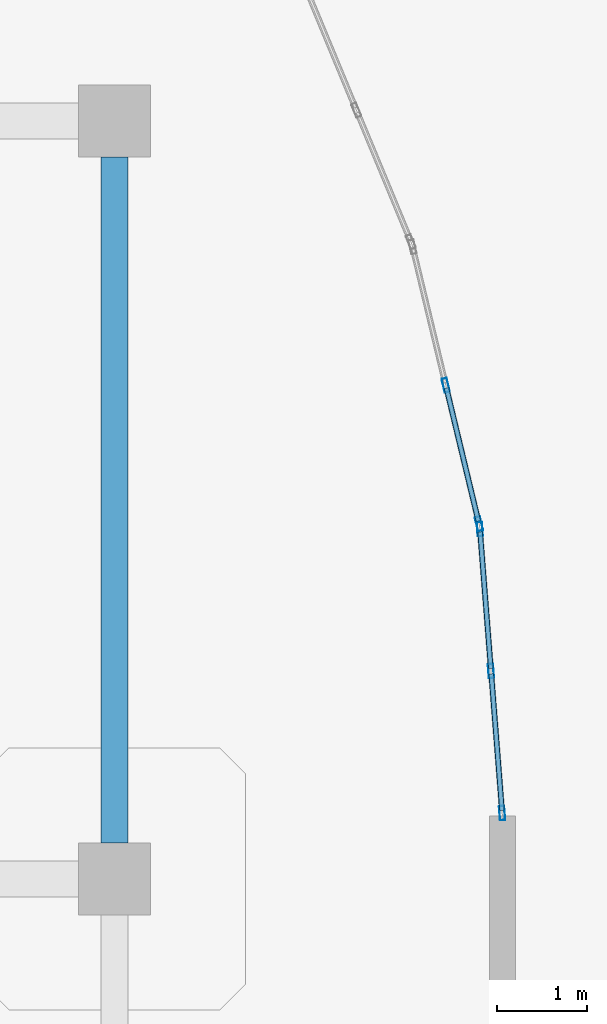
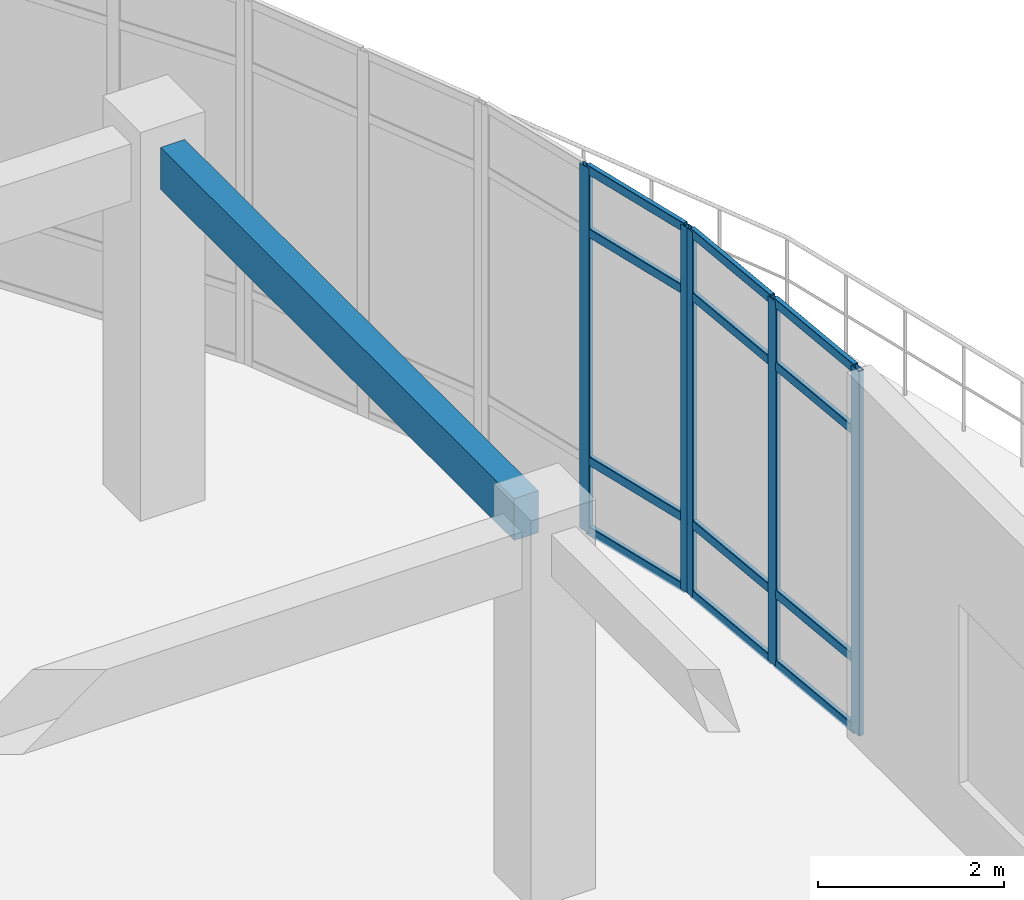
# One storey, part 86 of 124: 17 members, 1 beam, 2 elements without a shape of their own.
"""IFC4 building model written with IfcOpenShell, lengths in metres."""

from ifc_helpers import new_model, si_unit, derived_unit, direction, frame, origin, origin_2d, place, context, subcontext, project, spatial, rectangle, hollow_rectangle, extrude, material, layer, layer_set, material_profile, profile_set, type_object, element, aggregate, save


model = new_model("IFC4")

# Units and contexts
model_context = context("Model", 3, precision=1e-05, world=origin(), true_north=direction((0.0, 1.0)))
body_context = subcontext(model_context, "Body", "Model", "MODEL_VIEW")
ifc_project = project(units=[si_unit("LENGTHUNIT", "METRE"), si_unit("AREAUNIT", "SQUARE_METRE"), si_unit("VOLUMEUNIT", "CUBIC_METRE"), si_unit("PLANEANGLEUNIT", "RADIAN"), si_unit("MASSUNIT", "GRAM", prefix="KILO"), derived_unit("THERMALTRANSMITTANCEUNIT", [(si_unit("MASSUNIT", "GRAM", prefix="KILO"), 1), (si_unit("TIMEUNIT", "SECOND"), -3), (si_unit("THERMODYNAMICTEMPERATUREUNIT", "KELVIN"), -1)])], contexts=[model_context])

# Site, building, storey
site_placement = place(None, origin())
site = spatial("IfcSite", under=ifc_project, at=site_placement, CompositionType="ELEMENT")
building_placement = place(site_placement, origin())
building = spatial("IfcBuilding", under=site, at=building_placement, Name="Qinzheling Arcade Emporium", CompositionType="ELEMENT")
storey_placement = place(building_placement, frame((0.0, 0.0, 16.5)))
storey = spatial("IfcBuildingStorey", under=building, at=storey_placement, Name="L04", CompositionType="ELEMENT", Elevation=16.5)

# Curtain wall, members
ifc_material_1 = material(Name="Anodised aluminium and solar-control double glazing", Category="aluminium")
ifc_layer = layer(ifc_material_1, 0.159912109375, Name="Anodised aluminium and solar-control double glazing", Category="aluminium")
ifc_layer_set = layer_set([ifc_layer], Name="Anodised aluminium and solar-control double glazing")
curtain_wall_type = type_object("IfcCurtainWallType", Name="Curved Ribbon Sales Curtain Wall", PredefinedType="NOTDEFINED", material=ifc_layer_set)
curtain_wall_1_placement = place(storey_placement, origin())
curtain_wall_1 = element("IfcCurtainWall", 1, at=curtain_wall_1_placement, inside=storey, type_object=curtain_wall_type, Name="Curtain Wall CW-L04-272", PredefinedType="NOTDEFINED")
ifc_material_2 = material(Name="Anodised aluminium 6063-T6", Category="aluminium")
ifc_material_profile_1 = material_profile(ifc_material_2, hollow_rectangle(XDim=0.06005859375, YDim=0.159912109375, WallThickness=0.00390625, InnerFilletRadius=0.00390625, OuterFilletRadius=0.008056640625, at=origin_2d()), Name="RHS 160x60x4", Category="aluminium")
ifc_profile_set_1 = profile_set([ifc_material_profile_1], Name="Anodised aluminium 6063-T6")
member_type_1 = type_object("IfcMemberType", Name="Curtain Wall Mullion RHS160x60", PredefinedType="MULLION", material=ifc_profile_set_1)
member_1_placement = place(storey_placement, frame((142.87255859375, 96.071044921875, 0.0), z_axis=(0.0, 0.0, 1.0), x_axis=(0.972367546477, 0.233455251725, 0.0)))
member_1 = element("IfcMember", 2, at=member_1_placement, type_object=member_type_1, Name="CW02 mullion 2", PredefinedType="MULLION", context=body_context, shape_type="SweptSolid", body=[
    extrude(hollow_rectangle(XDim=0.06005859375, YDim=0.159912109375, WallThickness=0.00390625, InnerFilletRadius=0.00390625, OuterFilletRadius=0.008056640625, at=origin_2d()), origin(), (0.0, 0.0, 1.0), 4.7900390625),
])
member_2_placement = place(storey_placement, frame((143.240966796875, 94.5361328125, 0.0), z_axis=(0.0, 0.0, 1.0), x_axis=(0.972367546477, 0.233455251725, 0.0)))
member_2 = element("IfcMember", 3, at=member_2_placement, type_object=member_type_1, Name="CW02 mullion 3", PredefinedType="MULLION", context=body_context, shape_type="SweptSolid", body=[
    extrude(hollow_rectangle(XDim=0.06005859375, YDim=0.159912109375, WallThickness=0.00390625, InnerFilletRadius=0.00390625, OuterFilletRadius=0.008056640625, at=origin_2d()), origin(), (0.0, 0.0, 1.0), 4.7900390625),
])

curtain_wall_2_placement = place(storey_placement, origin())
curtain_wall_2 = element("IfcCurtainWall", 4, at=curtain_wall_2_placement, inside=storey, type_object=curtain_wall_type, Name="Curtain Wall CW-L04-273", PredefinedType="NOTDEFINED")
member_3_placement = place(storey_placement, frame((143.250244140625, 94.47705078125, 0.0), z_axis=(0.0, 0.0, 1.0), x_axis=(0.996926963876, 0.078336637005, 0.0)))
member_3 = element("IfcMember", 5, at=member_3_placement, type_object=member_type_1, Name="CW02 mullion 1", PredefinedType="MULLION", context=body_context, shape_type="SweptSolid", body=[
    extrude(hollow_rectangle(XDim=0.06005859375, YDim=0.159912109375, WallThickness=0.00390625, InnerFilletRadius=0.00390625, OuterFilletRadius=0.008056640625, at=origin_2d()), origin(), (0.0, 0.0, 1.0), 4.7900390625),
])
member_4_placement = place(storey_placement, frame((143.3740234375, 92.903564453125, 0.0), z_axis=(0.0, 0.0, 1.0), x_axis=(0.996926963876, 0.078336637005, 0.0)))
member_4 = element("IfcMember", 6, at=member_4_placement, type_object=member_type_1, Name="CW02 mullion 2", PredefinedType="MULLION", context=body_context, shape_type="SweptSolid", body=[
    extrude(hollow_rectangle(XDim=0.06005859375, YDim=0.159912109375, WallThickness=0.00390625, InnerFilletRadius=0.00390625, OuterFilletRadius=0.008056640625, at=origin_2d()), origin(), (0.0, 0.0, 1.0), 4.7900390625),
])
member_5_placement = place(storey_placement, frame((143.49755859375, 91.329833984375, 0.0), z_axis=(0.0, 0.0, 1.0), x_axis=(0.996926963876, 0.078336637005, 0.0)))
member_5 = element("IfcMember", 7, at=member_5_placement, type_object=member_type_1, Name="CW02 mullion 3", PredefinedType="MULLION", context=body_context, shape_type="SweptSolid", body=[
    extrude(hollow_rectangle(XDim=0.06005859375, YDim=0.159912109375, WallThickness=0.00390625, InnerFilletRadius=0.00390625, OuterFilletRadius=0.008056640625, at=origin_2d()), origin(), (0.0, 0.0, 1.0), 4.7900390625),
])

# Member
ifc_material_profile_2 = material_profile(ifc_material_2, hollow_rectangle(XDim=0.06005859375, YDim=0.1201171875, WallThickness=0.00390625, InnerFilletRadius=0.00390625, OuterFilletRadius=0.008056640625, at=origin_2d()), Name="RHS 120x60x4", Category="aluminium")
ifc_profile_set_2 = profile_set([ifc_material_profile_2], Name="Anodised aluminium 6063-T6")
member_type_2 = type_object("IfcMemberType", Name="Curtain Wall Transom RHS120x60", PredefinedType="USERDEFINED", material=ifc_profile_set_2)
member_6_placement = place(storey_placement, frame((142.87939453125, 96.041748046875, 0.030029296875), z_axis=(0.233482421881, -0.972361022806, 0.0), x_axis=(0.972361022806, 0.233482421881, 0.0)))
member_6 = element("IfcMember", 8, at=member_6_placement, type_object=member_type_2, Name="CW02 transom 2.1", ObjectType="TRANSOM", PredefinedType="USERDEFINED", context=body_context, shape_type="SweptSolid", body=[
    extrude(hollow_rectangle(XDim=0.06005859375, YDim=0.1201171875, WallThickness=0.00390625, InnerFilletRadius=0.00390625, OuterFilletRadius=0.008056640625, at=origin_2d()), origin(), (0.0, 0.0, 1.0), 1.518310546875),
])

member_7_placement = place(storey_placement, frame((142.87939453125, 96.041748046875, 0.949951171875), z_axis=(0.233482421881, -0.972361022806, 0.0), x_axis=(0.972361022806, 0.233482421881, 0.0)))
member_7 = element("IfcMember", 9, at=member_7_placement, type_object=member_type_2, Name="CW02 transom 2.2", ObjectType="TRANSOM", PredefinedType="USERDEFINED", context=body_context, shape_type="SweptSolid", body=[
    extrude(hollow_rectangle(XDim=0.06005859375, YDim=0.1201171875, WallThickness=0.00390625, InnerFilletRadius=0.00390625, OuterFilletRadius=0.008056640625, at=origin_2d()), origin(), (0.0, 0.0, 1.0), 1.518310546875),
])

member_8_placement = place(storey_placement, frame((142.87939453125, 96.041748046875, 3.93994140625), z_axis=(0.233482421881, -0.972361022806, 0.0), x_axis=(0.972361022806, 0.233482421881, 0.0)))
member_8 = element("IfcMember", 10, at=member_8_placement, type_object=member_type_2, Name="CW02 transom 2.3", ObjectType="TRANSOM", PredefinedType="USERDEFINED", context=body_context, shape_type="SweptSolid", body=[
    extrude(hollow_rectangle(XDim=0.06005859375, YDim=0.1201171875, WallThickness=0.00390625, InnerFilletRadius=0.00390625, OuterFilletRadius=0.008056640625, at=origin_2d()), origin(), (0.0, 0.0, 1.0), 1.518310546875),
])

member_9_placement = place(storey_placement, frame((142.87939453125, 96.041748046875, 4.760009765625), z_axis=(0.233482421881, -0.972361022806, 0.0), x_axis=(0.972361022806, 0.233482421881, 0.0)))
member_9 = element("IfcMember", 11, at=member_9_placement, type_object=member_type_2, Name="CW02 transom 2.4", ObjectType="TRANSOM", PredefinedType="USERDEFINED", context=body_context, shape_type="SweptSolid", body=[
    extrude(hollow_rectangle(XDim=0.06005859375, YDim=0.1201171875, WallThickness=0.00390625, InnerFilletRadius=0.00390625, OuterFilletRadius=0.008056640625, at=origin_2d()), origin(), (0.0, 0.0, 1.0), 1.518310546875),
])

aggregate(curtain_wall_1, [member_1, member_2, member_6, member_7, member_8, member_9])

member_10_placement = place(storey_placement, frame((143.252685546875, 94.447265625, 0.030029296875), z_axis=(0.078294636066, -0.99693026334, 0.0), x_axis=(0.99693026334, 0.078294636066, 0.0)))
member_10 = element("IfcMember", 12, at=member_10_placement, type_object=member_type_2, Name="CW02 transom 1.1", ObjectType="TRANSOM", PredefinedType="USERDEFINED", context=body_context, shape_type="SweptSolid", body=[
    extrude(hollow_rectangle(XDim=0.06005859375, YDim=0.1201171875, WallThickness=0.00390625, InnerFilletRadius=0.00390625, OuterFilletRadius=0.008056640625, at=origin_2d()), origin(), (0.0, 0.0, 1.0), 1.5185546875),
])

member_11_placement = place(storey_placement, frame((143.252685546875, 94.447265625, 0.949951171875), z_axis=(0.078294636066, -0.99693026334, 0.0), x_axis=(0.99693026334, 0.078294636066, 0.0)))
member_11 = element("IfcMember", 13, at=member_11_placement, type_object=member_type_2, Name="CW02 transom 1.2", ObjectType="TRANSOM", PredefinedType="USERDEFINED", context=body_context, shape_type="SweptSolid", body=[
    extrude(hollow_rectangle(XDim=0.06005859375, YDim=0.1201171875, WallThickness=0.00390625, InnerFilletRadius=0.00390625, OuterFilletRadius=0.008056640625, at=origin_2d()), origin(), (0.0, 0.0, 1.0), 1.5185546875),
])

member_12_placement = place(storey_placement, frame((143.252685546875, 94.447265625, 3.93994140625), z_axis=(0.078294636066, -0.99693026334, 0.0), x_axis=(0.99693026334, 0.078294636066, 0.0)))
member_12 = element("IfcMember", 14, at=member_12_placement, type_object=member_type_2, Name="CW02 transom 1.3", ObjectType="TRANSOM", PredefinedType="USERDEFINED", context=body_context, shape_type="SweptSolid", body=[
    extrude(hollow_rectangle(XDim=0.06005859375, YDim=0.1201171875, WallThickness=0.00390625, InnerFilletRadius=0.00390625, OuterFilletRadius=0.008056640625, at=origin_2d()), origin(), (0.0, 0.0, 1.0), 1.5185546875),
])

member_13_placement = place(storey_placement, frame((143.252685546875, 94.447265625, 4.760009765625), z_axis=(0.078294636066, -0.99693026334, 0.0), x_axis=(0.99693026334, 0.078294636066, 0.0)))
member_13 = element("IfcMember", 15, at=member_13_placement, type_object=member_type_2, Name="CW02 transom 1.4", ObjectType="TRANSOM", PredefinedType="USERDEFINED", context=body_context, shape_type="SweptSolid", body=[
    extrude(hollow_rectangle(XDim=0.06005859375, YDim=0.1201171875, WallThickness=0.00390625, InnerFilletRadius=0.00390625, OuterFilletRadius=0.008056640625, at=origin_2d()), origin(), (0.0, 0.0, 1.0), 1.5185546875),
])

member_14_placement = place(storey_placement, frame((143.37646484375, 92.87353515625, 0.030029296875), z_axis=(0.078307186803, -0.996929277579, 0.0), x_axis=(0.996929277579, 0.078307186803, 0.0)))
member_14 = element("IfcMember", 16, at=member_14_placement, type_object=member_type_2, Name="CW02 transom 2.1", ObjectType="TRANSOM", PredefinedType="USERDEFINED", context=body_context, shape_type="SweptSolid", body=[
    extrude(hollow_rectangle(XDim=0.06005859375, YDim=0.1201171875, WallThickness=0.00390625, InnerFilletRadius=0.00390625, OuterFilletRadius=0.008056640625, at=origin_2d()), origin(), (0.0, 0.0, 1.0), 1.518310546875),
])

member_15_placement = place(storey_placement, frame((143.37646484375, 92.87353515625, 0.949951171875), z_axis=(0.078307186803, -0.996929277579, 0.0), x_axis=(0.996929277579, 0.078307186803, 0.0)))
member_15 = element("IfcMember", 17, at=member_15_placement, type_object=member_type_2, Name="CW02 transom 2.2", ObjectType="TRANSOM", PredefinedType="USERDEFINED", context=body_context, shape_type="SweptSolid", body=[
    extrude(hollow_rectangle(XDim=0.06005859375, YDim=0.1201171875, WallThickness=0.00390625, InnerFilletRadius=0.00390625, OuterFilletRadius=0.008056640625, at=origin_2d()), origin(), (0.0, 0.0, 1.0), 1.518310546875),
])

member_16_placement = place(storey_placement, frame((143.37646484375, 92.87353515625, 3.93994140625), z_axis=(0.078307186803, -0.996929277579, 0.0), x_axis=(0.996929277579, 0.078307186803, 0.0)))
member_16 = element("IfcMember", 18, at=member_16_placement, type_object=member_type_2, Name="CW02 transom 2.3", ObjectType="TRANSOM", PredefinedType="USERDEFINED", context=body_context, shape_type="SweptSolid", body=[
    extrude(hollow_rectangle(XDim=0.06005859375, YDim=0.1201171875, WallThickness=0.00390625, InnerFilletRadius=0.00390625, OuterFilletRadius=0.008056640625, at=origin_2d()), origin(), (0.0, 0.0, 1.0), 1.518310546875),
])

member_17_placement = place(storey_placement, frame((143.37646484375, 92.87353515625, 4.760009765625), z_axis=(0.078307186803, -0.996929277579, 0.0), x_axis=(0.996929277579, 0.078307186803, 0.0)))
member_17 = element("IfcMember", 19, at=member_17_placement, type_object=member_type_2, Name="CW02 transom 2.4", ObjectType="TRANSOM", PredefinedType="USERDEFINED", context=body_context, shape_type="SweptSolid", body=[
    extrude(hollow_rectangle(XDim=0.06005859375, YDim=0.1201171875, WallThickness=0.00390625, InnerFilletRadius=0.00390625, OuterFilletRadius=0.008056640625, at=origin_2d()), origin(), (0.0, 0.0, 1.0), 1.518310546875),
])

aggregate(curtain_wall_2, [member_3, member_4, member_5, member_10, member_11, member_12, member_13, member_14, member_15, member_16, member_17])

# Beam
ifc_material_3 = material(Name="Concrete C40", Category="concrete")
ifc_material_profile_3 = material_profile(ifc_material_3, rectangle(XDim=0.300048828125, YDim=0.550048828125, at=origin_2d()), Name="RC 300x550", Category="concrete")
ifc_profile_set_3 = profile_set([ifc_material_profile_3], Name="Concrete C40")
beam_type = type_object("IfcBeamType", Name="RC Terrace Spandrel Beam 300x550 C40", PredefinedType="SPANDREL", material=ifc_profile_set_3)
beam_placement = place(storey_placement, frame((139.199951171875, 91.0, 4.544921875), z_axis=(0.0, 1.0, 0.0), x_axis=(-1.0, 0.0, 0.0)))
element("IfcBeam", 20, at=beam_placement, inside=storey, type_object=beam_type, Name="Beam BM-L04-Y-17-L", PredefinedType="SPANDREL", context=body_context, shape_type="SweptSolid", body=[
    extrude(rectangle(XDim=0.300048828125, YDim=0.550048828125, at=origin_2d()), origin(), (0.0, 0.0, 1.0), 7.60009765625),
])

save(model, "model.ifc")
